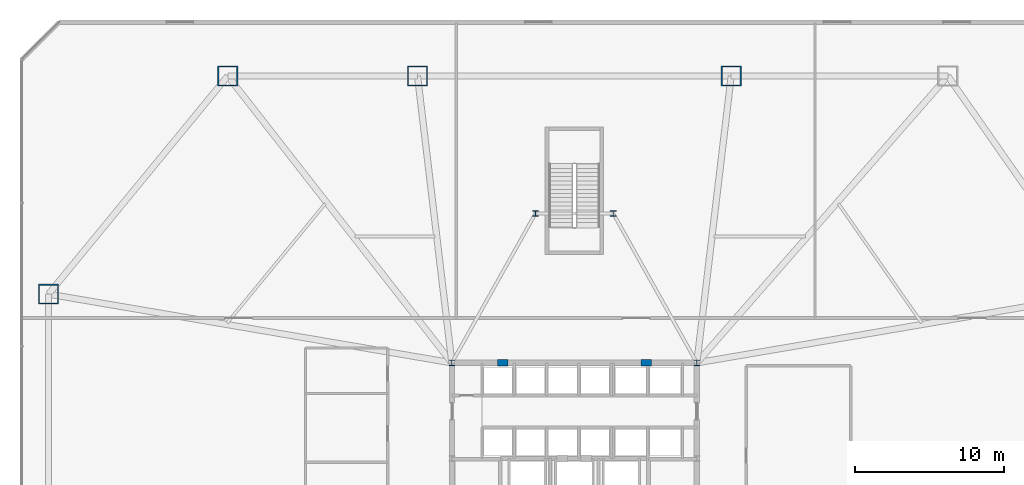
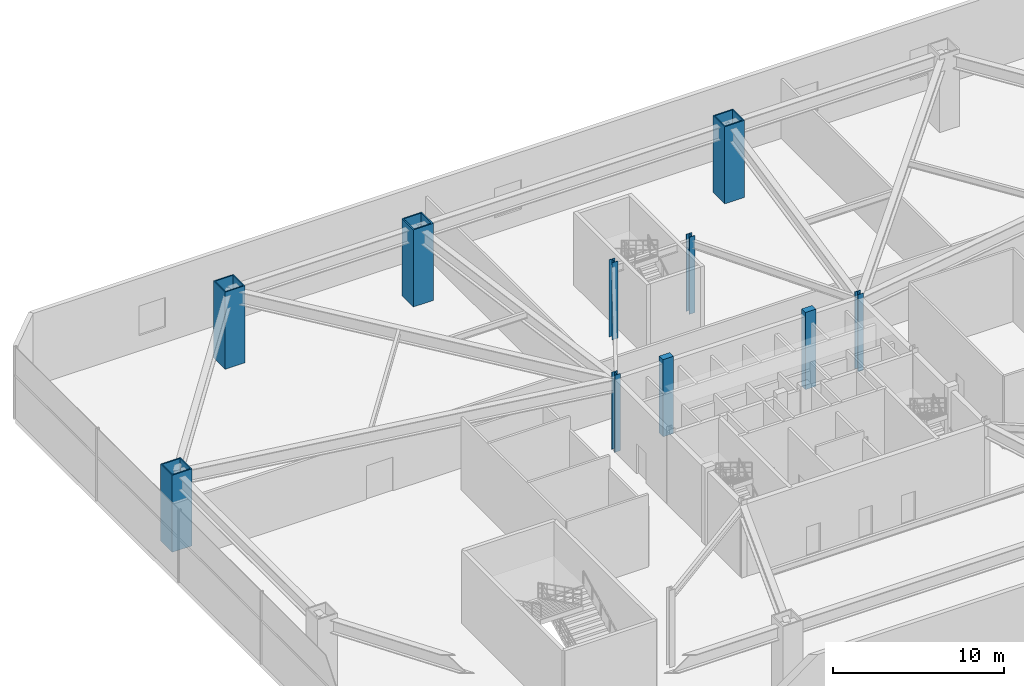
# One storey, part 3 of 20: 10 columns.
"""IFC4 building model written with IfcOpenShell, lengths in metres."""

from ifc_helpers import new_model, si_unit, direction, frame, origin, origin_2d, place, context, subcontext, project, spatial, rectangle, hollow_rectangle, i_section, extrude, material, material_profile, profile_set, type_object, element, save


model = new_model("IFC4")

# Units and contexts
model_context = context("Model", 3, precision=1e-05, world=origin(), true_north=direction((0.0, 1.0)))
body_context = subcontext(model_context, "Body", "Model", "MODEL_VIEW")
ifc_project = project(units=[si_unit("LENGTHUNIT", "METRE"), si_unit("AREAUNIT", "SQUARE_METRE"), si_unit("VOLUMEUNIT", "CUBIC_METRE"), si_unit("PLANEANGLEUNIT", "RADIAN"), si_unit("MASSUNIT", "GRAM", prefix="KILO")], contexts=[model_context])

# Site, building, storey
site_placement = place(None, origin())
site = spatial("IfcSite", under=ifc_project, at=site_placement, CompositionType="ELEMENT")
building_placement = place(site_placement, origin())
building = spatial("IfcBuilding", under=site, at=building_placement, Name="Varakhsha Concourse Tower", CompositionType="ELEMENT")
storey_placement = place(building_placement, frame((0.0, 0.0, 16.5)))
storey = spatial("IfcBuildingStorey", under=building, at=storey_placement, Name="L04", CompositionType="ELEMENT", Elevation=16.5)

# Columns
ifc_material_1 = material(Name="Structural Steel ASTM A992 Grade 50", Category="steel")
ifc_material_profile_1 = material_profile(ifc_material_1, i_section(OverallWidth=0.3740234375, OverallDepth=0.3720703125, WebThickness=0.01611328125, FlangeThickness=0.02587890625, at=origin_2d()), Name="W14X132")
ifc_profile_set_1 = profile_set([ifc_material_profile_1], Name="Structural Steel ASTM A992 Grade 50")
column_type_1 = type_object("IfcColumnType", Name="CL-CORE-W14X132", PredefinedType="COLUMN", material=ifc_profile_set_1)
for number, where, z_axis, x_axis, name in (
    (1, (31.800048828125, 31.199951171875, 0.0), (0.0, 0.0, 1.0), (1.0, 0.0, 0.0), "L04 Core Column CC-NW"),
    (2, (48.199951171875, 31.199951171875, 0.0), (0.0, 0.0, 1.0), (1.0, 0.0, 0.0), "L04 Core Column CC-NE"),
    (3, (37.39990234375, 41.199951171875, 0.0), (0.0, 0.0, 1.0), (1.0, 0.0, 0.0), "L04 Core Column NS-W"),
    (4, (42.60009765625, 41.199951171875, 0.0), (0.0, 0.0, 1.0), (1.0, 0.0, 0.0), "L04 Core Column NS-E"),
):
    element("IfcColumn", number, at=place(storey_placement, frame(where, z_axis=z_axis, x_axis=x_axis)), inside=storey, type_object=column_type_1, Name=name, PredefinedType="COLUMN", context=body_context, shape_type="SweptSolid", body=[
        extrude(i_section(OverallWidth=0.3740234375, OverallDepth=0.3720703125, WebThickness=0.01611328125, FlangeThickness=0.02587890625, at=origin_2d()), origin(), (0.0, 0.0, 1.0), 5.5),
    ])
ifc_material_2 = material(Name="Concrete fc 65 MPa", Category="concrete")
ifc_material_profile_2 = material_profile(ifc_material_2, rectangle(XDim=0.699951171875, YDim=0.449951171875, at=origin_2d()), Name="RC 700x450")
ifc_profile_set_2 = profile_set([ifc_material_profile_2], Name="Concrete fc 65 MPa")
column_type_2 = type_object("IfcColumnType", Name="CL-PIL-700X450", PredefinedType="PILASTER", material=ifc_profile_set_2)
for number, where, z_axis, x_axis, name in (
    (5, (35.199951171875, 31.199951171875, 0.0), (0.0, 0.0, 1.0), (1.0, 0.0, 0.0), "L04 Core Boundary Pilaster PIL-N1"),
    (6, (44.800048828125, 31.199951171875, 0.0), (0.0, 0.0, 1.0), (1.0, 0.0, 0.0), "L04 Core Boundary Pilaster PIL-N2"),
):
    element("IfcColumn", number, at=place(storey_placement, frame(where, z_axis=z_axis, x_axis=x_axis)), inside=storey, type_object=column_type_2, Name=name, PredefinedType="PILASTER", context=body_context, shape_type="SweptSolid", body=[
        extrude(rectangle(XDim=0.699951171875, YDim=0.449951171875, at=origin_2d()), origin(), (0.0, 0.0, 1.0), 5.5),
    ])
ifc_material_3 = material(Name="Structural Steel ASTM A572 Grade 50", Category="steel")
ifc_material_profile_3 = material_profile(ifc_material_3, hollow_rectangle(XDim=1.35009765625, YDim=1.35009765625, WallThickness=0.0849609375, at=origin_2d()), Name="BOX 1350x1350x85")
ifc_profile_set_3 = profile_set([ifc_material_profile_3], Name="Structural Steel ASTM A572 Grade 50")
column_type_3 = type_object("IfcColumnType", Name="CL-STILT-1350", PredefinedType="COLUMN", material=ifc_profile_set_3)
for number, where, z_axis, x_axis, name in (
    (7, (4.800048828125, 35.800048828125, 0.0), (0.0, 0.0, 1.0), (1.0, 0.0, 0.0), "L04 Podium Mega-Column PC-W2"),
    (8, (16.800048828125, 50.39990234375, 0.0), (0.0, 0.0, 1.0), (1.0, 0.0, 0.0), "L04 Podium Mega-Column PC-N1"),
    (9, (29.5, 50.39990234375, 0.0), (0.0, 0.0, 1.0), (1.0, 0.0, 0.0), "L04 Podium Mega-Column PC-N2"),
    (10, (50.5, 50.39990234375, 0.0), (0.0, 0.0, 1.0), (1.0, 0.0, 0.0), "L04 Podium Mega-Column PC-N3"),
):
    element("IfcColumn", number, at=place(storey_placement, frame(where, z_axis=z_axis, x_axis=x_axis)), inside=storey, type_object=column_type_3, Name=name, PredefinedType="COLUMN", context=body_context, shape_type="SweptSolid", body=[
        extrude(hollow_rectangle(XDim=1.35009765625, YDim=1.35009765625, WallThickness=0.0849609375, at=origin_2d()), origin(), (0.0, 0.0, 1.0), 5.5),
    ])

save(model, "model.ifc")
